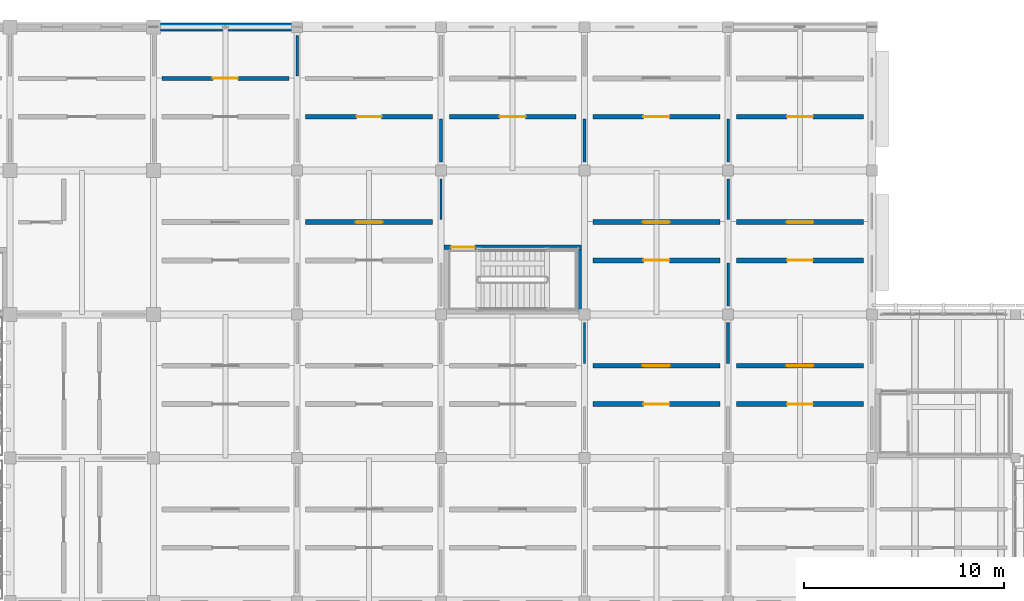
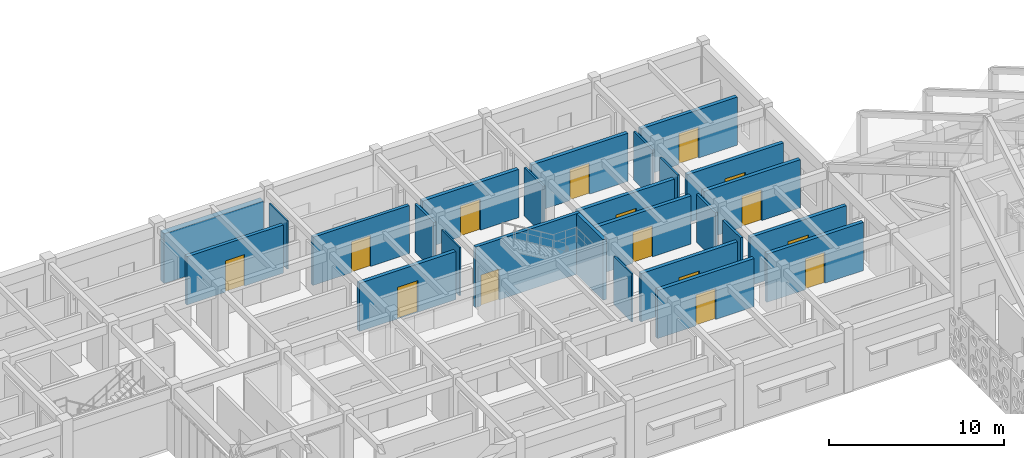
# One storey, part 128 of 171: 26 walls, 15 doors, 15 openings.
"""IFC4 building model written with IfcOpenShell, lengths in metres."""

from ifc_helpers import new_model, si_unit, direction, frame, frame_2d, origin, place, context, subcontext, project, spatial, rectangle, extrude, material, layer, layer_set, type_object, element, fill, save


model = new_model("IFC4")

# Units and contexts
model_context = context("Model", 3, precision=1e-05, world=origin(), true_north=direction((0.0, 1.0)))
body_context = subcontext(model_context, "Body", "Model", "MODEL_VIEW")
ifc_project = project(units=[si_unit("LENGTHUNIT", "METRE"), si_unit("AREAUNIT", "SQUARE_METRE"), si_unit("VOLUMEUNIT", "CUBIC_METRE"), si_unit("PLANEANGLEUNIT", "RADIAN"), si_unit("MASSUNIT", "GRAM", prefix="KILO")], contexts=[model_context])

# Site, building, storey
site_placement = place(None, origin())
site = spatial("IfcSite", under=ifc_project, at=site_placement, CompositionType="ELEMENT")
building_placement = place(site_placement, origin())
building = spatial("IfcBuilding", under=site, at=building_placement, Name="Aldebral Square Health Centre", CompositionType="ELEMENT")
storey_placement = place(building_placement, frame((0.0, 0.0, 4.5)))
storey = spatial("IfcBuildingStorey", under=building, at=storey_placement, Name="L01", CompositionType="ELEMENT", Elevation=4.5)

# Wall
ifc_material_1 = material(Name="Lead-lined concrete C40/50 radiology exterior wall", Category="concrete")
ifc_layer_1 = layer(ifc_material_1, 0.3798828125, Name="Lead-lined concrete C40/50 radiology exterior wall", Category="concrete")
ifc_layer_set_1 = layer_set([ifc_layer_1], Name="Lead-lined concrete C40/50 radiology exterior wall")
wall_type_1 = type_object("IfcWallType", Name="EW-SHD-380", PredefinedType="SOLIDWALL", material=ifc_layer_set_1)
wall_1_placement = place(storey_placement, frame((35.72509765625, 115.199951171875, 0.0), z_axis=(0.0, 0.0, 1.0), x_axis=(-1.0, 0.0, 0.0)))
element("IfcWall", 1, at=wall_1_placement, inside=storey, type_object=wall_type_1, Name="L01 V2 exterior wall L01-V2-04-15-N", PredefinedType="SOLIDWALL", context=body_context, shape_type="SweptSolid", body=[
    extrude(rectangle(XDim=6.5751953125, YDim=0.3798828125, at=frame_2d((3.28759765625, 0.0))), origin(), (0.0, 0.0, 1.0), 3.469970703125),
])

# Wall, opening, door
ifc_material_2 = material(Name="Concrete C35/45 compartment wall", Category="concrete")
ifc_layer_2 = layer(ifc_material_2, 0.219970703125, Name="Concrete C35/45 compartment wall", Category="concrete")
ifc_layer_set_2 = layer_set([ifc_layer_2], Name="Concrete C35/45 compartment wall")
wall_type_2 = type_object("IfcWallType", Name="IW-CMP-220", PredefinedType="SOLIDWALL", material=ifc_layer_set_2)
wall_2_placement = place(storey_placement, frame((29.219970703125, 112.6201171875, 0.0), z_axis=(0.0, 0.0, 1.0), x_axis=(1.0, 0.0, 0.0)))
wall_2 = element("IfcWall", 2, at=wall_2_placement, inside=storey, type_object=wall_type_2, Name="L01 Imaging Equipment Plant Room 5.16N corridor wall", PredefinedType="SOLIDWALL", context=body_context, shape_type="SweptSolid", body=[
    extrude(rectangle(XDim=6.360107421875, YDim=0.219970703125, at=frame_2d((3.18017578125, 0.0))), origin(), (0.0, 0.0, 1.0), 3.360107421875),
])
opening_1_placement = place(wall_2_placement, frame((2.550048828125, 0.0, 0.0)))
opening_1 = element("IfcOpeningElement", 3, at=opening_1_placement, cuts=wall_2, Name="Opening D-0210", PredefinedType="OPENING", context=body_context, shape_type="SweptSolid", body=[
    extrude(rectangle(XDim=1.260009765625, YDim=2.18994140625, at=frame_2d((0.6298828125, 1.094970703125))), frame((0.0, 0.1201171875, 0.0), z_axis=(0.0, -1.0, 0.0), x_axis=(1.0, 0.0, 0.0)), (0.0, 0.0, 1.0), 0.239990234375),
])
ifc_material_3 = material(Name="Clinical suite fire door")
door_type_1 = type_object("IfcDoorType", Name="ID-EXD-57", OperationType="NOTDEFINED", PredefinedType="DOOR", material=ifc_material_3)
door_1_placement = place(opening_1_placement, origin())
door_1 = element("IfcDoor", 4, at=door_1_placement, inside=storey, type_object=door_type_1, Name="L01 Imaging Equipment Plant Room 5.16N door", OperationType="SINGLE_SWING_LEFT", OverallHeight=2.18994140625, OverallWidth=1.260009765625, PredefinedType="DOOR", context=body_context, shape_type="SweptSolid", body=[
    extrude(rectangle(XDim=1.260009765625, YDim=2.18994140625, at=frame_2d((0.6298828125, 1.094970703125))), frame((0.0, 0.02490234375, 0.0), z_axis=(0.0, -1.0, 0.0), x_axis=(1.0, 0.0, 0.0)), (0.0, 0.0, 1.0), 0.050048828125),
])
fill(opening_1, door_1)

ifc_material_4 = material(Name="Concrete C40/50", Category="concrete")
ifc_layer_3 = layer(ifc_material_4, 0.219970703125, Name="Concrete C40/50", Category="concrete")
ifc_layer_set_3 = layer_set([ifc_layer_3], Name="Concrete C40/50")
wall_type_3 = type_object("IfcWallType", Name="IW-CORE-280", PredefinedType="SHEAR", material=ifc_layer_set_3)
wall_3_placement = place(storey_placement, frame((43.360107421875, 104.14990234375, 0.0), z_axis=(0.0, 0.0, 1.0), x_axis=(1.0, 0.0, 0.0)))
wall_3 = element("IfcWall", 5, at=wall_3_placement, inside=storey, type_object=wall_type_3, Name="L01 WS-S6 shaft wall N", PredefinedType="SHEAR", context=body_context, shape_type="SweptSolid", body=[
    extrude(rectangle(XDim=6.8798828125, YDim=0.219970703125, at=frame_2d((3.43994140625, 0.0))), origin(), (0.0, 0.0, 1.0), 4.219970703125),
])
opening_2_placement = place(wall_3_placement, frame((0.35009765625, 0.0, 0.0)))
opening_2 = element("IfcOpeningElement", 6, at=opening_2_placement, cuts=wall_3, Name="Opening D-0066", PredefinedType="OPENING", context=body_context, shape_type="SweptSolid", body=[
    extrude(rectangle(XDim=1.199951171875, YDim=2.14990234375, at=frame_2d((0.60009765625, 1.074951171875))), frame((0.0, 0.1201171875, 0.0), z_axis=(0.0, -1.0, 0.0), x_axis=(1.0, 0.0, 0.0)), (0.0, 0.0, 1.0), 0.239990234375),
])
ifc_material_5 = material(Name="Fire-rated steel stair door", Category="steel")
door_type_2 = type_object("IfcDoorType", Name="ID-ST-120", OperationType="NOTDEFINED", PredefinedType="DOOR", material=ifc_material_5)
door_2_placement = place(opening_2_placement, origin())
door_2 = element("IfcDoor", 7, at=door_2_placement, inside=storey, type_object=door_type_2, Name="L01 ST-06 fire door", OperationType="SINGLE_SWING_RIGHT", OverallHeight=2.14990234375, OverallWidth=1.199951171875, PredefinedType="DOOR", context=body_context, shape_type="SweptSolid", body=[
    extrude(rectangle(XDim=1.199951171875, YDim=2.14990234375, at=frame_2d((0.60009765625, 1.074951171875))), frame((0.0, 0.02490234375, 0.0), z_axis=(0.0, -1.0, 0.0), x_axis=(1.0, 0.0, 0.0)), (0.0, 0.0, 1.0), 0.050048828125),
])
fill(opening_2, door_2)

# Wall
wall_4_placement = place(storey_placement, frame((50.1298828125, 101.0400390625, 0.0), z_axis=(0.0, 0.0, 1.0), x_axis=(0.0, 1.0, 0.0)))
element("IfcWall", 8, at=wall_4_placement, inside=storey, type_object=wall_type_3, Name="L01 WS-S6 shaft wall E", PredefinedType="SHEAR", context=body_context, shape_type="SweptSolid", body=[
    extrude(rectangle(XDim=3.0, YDim=0.219970703125, at=frame_2d((1.5, 0.0))), origin(), (0.0, 0.0, 1.0), 4.219970703125),
])

# Wall, opening, door
ifc_material_6 = material(Name="Moisture-resistant sanitary chase wall")
ifc_layer_4 = layer(ifc_material_6, 0.2099609375, Name="Moisture-resistant sanitary chase wall")
ifc_layer_set_4 = layer_set([ifc_layer_4], Name="Moisture-resistant sanitary chase wall")
wall_type_4 = type_object("IfcWallType", Name="IW-PLB-210", PredefinedType="PLUMBINGWALL", material=ifc_layer_set_4)
wall_5_placement = place(storey_placement, frame((36.419921875, 110.699951171875, 0.0), z_axis=(0.0, 0.0, 1.0), x_axis=(1.0, 0.0, 0.0)))
wall_5 = element("IfcWall", 9, at=wall_5_placement, inside=storey, type_object=wall_type_4, Name="L01 Patient Imaging Dressing WC 6.16S corridor wall", PredefinedType="PLUMBINGWALL", context=body_context, shape_type="SweptSolid", body=[
    extrude(rectangle(XDim=6.360107421875, YDim=0.2099609375, at=frame_2d((3.18017578125, 0.0))), origin(), (0.0, 0.0, 1.0), 3.360107421875),
])
opening_3_placement = place(wall_5_placement, frame((2.554931640625, 0.0, 0.0)))
opening_3 = element("IfcOpeningElement", 10, at=opening_3_placement, cuts=wall_5, Name="Opening D-0217", PredefinedType="OPENING", context=body_context, shape_type="SweptSolid", body=[
    extrude(rectangle(XDim=1.25, YDim=2.14990234375, at=frame_2d((0.625, 1.074951171875))), frame((0.0, 0.114990234375, 0.0), z_axis=(0.0, -1.0, 0.0), x_axis=(1.0, 0.0, 0.0)), (0.0, 0.0, 1.0), 0.22998046875),
])
ifc_material_7 = material(Name="Stainless steel surgical lift landing door", Category="steel")
door_type_3 = type_object("IfcDoorType", Name="ID-LD-125", OperationType="SLIDING_TO_LEFT", PredefinedType="DOOR", material=ifc_material_7)
door_3_placement = place(opening_3_placement, origin())
door_3 = element("IfcDoor", 11, at=door_3_placement, inside=storey, type_object=door_type_3, Name="L01 Patient Imaging Dressing WC 6.16S door", OperationType="SINGLE_SWING_RIGHT", OverallHeight=2.14990234375, OverallWidth=1.25, PredefinedType="DOOR", context=body_context, shape_type="SweptSolid", body=[
    extrude(rectangle(XDim=1.25, YDim=2.14990234375, at=frame_2d((0.625, 1.074951171875))), frame((0.0, 0.02490234375, 0.0), z_axis=(0.0, -1.0, 0.0), x_axis=(1.0, 0.0, 0.0)), (0.0, 0.0, 1.0), 0.050048828125),
])
fill(opening_3, door_3)

# Walls
ifc_material_8 = material(Name="Lightweight clinical partition")
ifc_layer_5 = layer(ifc_material_8, 0.10498046875, Name="Lightweight clinical partition")
ifc_layer_set_5 = layer_set([ifc_layer_5], Name="Lightweight clinical partition")
wall_type_5 = type_object("IfcWallType", Name="IW-PRT-105", PredefinedType="PARTITIONING", material=ifc_layer_set_5)
for number, where, z_axis, x_axis, name in (
    (12, (36.0, 112.739990234375, 0.0), (0.0, 0.0, 1.0), (0.0, 1.0, 0.0), "L01 Imaging Equipment Plant Room 5.16N demising partition"),
    (13, (43.199951171875, 105.5400390625, 0.0), (0.0, 0.0, 1.0), (0.0, 1.0, 0.0), "L01 Radiology Reporting Room 6.15N demising partition"),
):
    element("IfcWall", number, at=place(storey_placement, frame(where, z_axis=z_axis, x_axis=x_axis)), inside=storey, type_object=wall_type_5, Name=name, PredefinedType="PARTITIONING", context=body_context, shape_type="SweptSolid", body=[
        extrude(rectangle(XDim=2.0400390625, YDim=0.10498046875, at=frame_2d((1.02001953125, 0.0))), origin(), (0.0, 0.0, 1.0), 3.360107421875),
    ])
wall_6_placement = place(storey_placement, frame((50.39990234375, 98.340087890625, 0.0), z_axis=(0.0, 0.0, 1.0), x_axis=(0.0, 1.0, 0.0)))
element("IfcWall", 14, at=wall_6_placement, inside=storey, type_object=wall_type_5, Name="L01 Mammography Screening Suite 7.14N demising partition", PredefinedType="PARTITIONING", context=body_context, shape_type="SweptSolid", body=[
    extrude(rectangle(XDim=2.039794921875, YDim=0.10498046875, at=frame_2d((1.02001953125, 0.0))), origin(), (0.0, 0.0, 1.0), 3.360107421875),
])
ifc_material_9 = material(Name="Acoustic clinical gypsum partition")
ifc_layer_6 = layer(ifc_material_9, 0.1201171875, Name="Acoustic clinical gypsum partition")
ifc_layer_set_6 = layer_set([ifc_layer_6], Name="Acoustic clinical gypsum partition")
wall_type_6 = type_object("IfcWallType", Name="IW-PRT-120", PredefinedType="PARTITIONING", material=ifc_layer_set_6)
wall_7_placement = place(storey_placement, frame((57.60009765625, 108.419921875, 0.0), z_axis=(0.0, 0.0, 1.0), x_axis=(0.0, 1.0, 0.0)))
element("IfcWall", 15, at=wall_7_placement, inside=storey, type_object=wall_type_6, Name="L01 Diagnostic Ultrasound Room 8.16S demising partition", PredefinedType="PARTITIONING", context=body_context, shape_type="SweptSolid", body=[
    extrude(rectangle(XDim=2.16015625, YDim=0.1201171875, at=frame_2d((1.080078125, 0.0))), origin(), (0.0, 0.0, 1.0), 3.360107421875),
])
ifc_layer_7 = layer(ifc_material_9, 0.135009765625, Name="Acoustic clinical gypsum partition")
ifc_layer_set_7 = layer_set([ifc_layer_7], Name="Acoustic clinical gypsum partition")
wall_type_7 = type_object("IfcWallType", Name="IW-PRT-135", PredefinedType="PARTITIONING", material=ifc_layer_set_7)
wall_8_placement = place(storey_placement, frame((50.39990234375, 108.419921875, 0.0), z_axis=(0.0, 0.0, 1.0), x_axis=(0.0, 1.0, 0.0)))
element("IfcWall", 16, at=wall_8_placement, inside=storey, type_object=wall_type_7, Name="L01 Diagnostic Ultrasound Room 7.16S demising partition", PredefinedType="PARTITIONING", context=body_context, shape_type="SweptSolid", body=[
    extrude(rectangle(XDim=2.16015625, YDim=0.135009765625, at=frame_2d((1.080078125, 0.0))), origin(), (0.0, 0.0, 1.0), 3.360107421875),
])
wall_9_placement = place(storey_placement, frame((57.60009765625, 101.219970703125, 0.0), z_axis=(0.0, 0.0, 1.0), x_axis=(0.0, 1.0, 0.0)))
element("IfcWall", 17, at=wall_9_placement, inside=storey, type_object=wall_type_7, Name="L01 Digital Radiography X-Ray Room 8.15S demising partition", PredefinedType="PARTITIONING", context=body_context, shape_type="SweptSolid", body=[
    extrude(rectangle(XDim=2.159912109375, YDim=0.135009765625, at=frame_2d((1.080078125, 0.0))), origin(), (0.0, 0.0, 1.0), 3.360107421875),
])
wall_10_placement = place(storey_placement, frame((57.60009765625, 105.5400390625, 0.0), z_axis=(0.0, 0.0, 1.0), x_axis=(0.0, 1.0, 0.0)))
element("IfcWall", 18, at=wall_10_placement, inside=storey, type_object=wall_type_7, Name="L01 Mammography Screening Suite 8.15N demising partition", PredefinedType="PARTITIONING", context=body_context, shape_type="SweptSolid", body=[
    extrude(rectangle(XDim=2.0400390625, YDim=0.135009765625, at=frame_2d((1.02001953125, 0.0))), origin(), (0.0, 0.0, 1.0), 3.360107421875),
])
ifc_layer_8 = layer(ifc_material_9, 0.14990234375, Name="Acoustic clinical gypsum partition")
ifc_layer_set_8 = layer_set([ifc_layer_8], Name="Acoustic clinical gypsum partition")
wall_type_8 = type_object("IfcWallType", Name="IW-PRT-150", PredefinedType="PARTITIONING", material=ifc_layer_set_8)
wall_11_placement = place(storey_placement, frame((43.199951171875, 108.419921875, 0.0), z_axis=(0.0, 0.0, 1.0), x_axis=(0.0, 1.0, 0.0)))
element("IfcWall", 19, at=wall_11_placement, inside=storey, type_object=wall_type_8, Name="L01 Patient Imaging Dressing WC 6.16S demising partition", PredefinedType="PARTITIONING", context=body_context, shape_type="SweptSolid", body=[
    extrude(rectangle(XDim=2.16015625, YDim=0.14990234375, at=frame_2d((1.080078125, 0.0))), origin(), (0.0, 0.0, 1.0), 3.360107421875),
])
wall_12_placement = place(storey_placement, frame((57.60009765625, 98.340087890625, 0.0), z_axis=(0.0, 0.0, 1.0), x_axis=(0.0, 1.0, 0.0)))
element("IfcWall", 20, at=wall_12_placement, inside=storey, type_object=wall_type_8, Name="L01 CT Control and Shielded Monitoring 8.14N demising partition", PredefinedType="PARTITIONING", context=body_context, shape_type="SweptSolid", body=[
    extrude(rectangle(XDim=2.039794921875, YDim=0.14990234375, at=frame_2d((1.02001953125, 0.0))), origin(), (0.0, 0.0, 1.0), 3.360107421875),
])

# Wall, opening, door
ifc_material_10 = material(Name="Lead-lined gypsum and concrete C35/45 barrier", Category="concrete")
ifc_layer_9 = layer(ifc_material_10, 0.239990234375, Name="Lead-lined gypsum and concrete C35/45 barrier", Category="concrete")
ifc_layer_set_9 = layer_set([ifc_layer_9], Name="Lead-lined gypsum and concrete C35/45 barrier")
wall_type_9 = type_object("IfcWallType", Name="IW-RAD-240", PredefinedType="SOLIDWALL", material=ifc_layer_set_9)
wall_13_placement = place(storey_placement, frame((36.419921875, 105.419921875, 0.0), z_axis=(0.0, 0.0, 1.0), x_axis=(1.0, 0.0, 0.0)))
wall_13 = element("IfcWall", 21, at=wall_13_placement, inside=storey, type_object=wall_type_9, Name="L01 Radiology Reporting Room 6.15N corridor wall", PredefinedType="SOLIDWALL", context=body_context, shape_type="SweptSolid", body=[
    extrude(rectangle(XDim=6.360107421875, YDim=0.239990234375, at=frame_2d((3.18017578125, 0.0))), origin(), (0.0, 0.0, 1.0), 3.360107421875),
])
opening_4_placement = place(wall_13_placement, frame((2.5048828125, 0.0, 0.0)))
opening_4 = element("IfcOpeningElement", 22, at=opening_4_placement, cuts=wall_13, Name="Opening D-0216", PredefinedType="OPENING", context=body_context, shape_type="SweptSolid", body=[
    extrude(rectangle(XDim=1.35009765625, YDim=2.199951171875, at=frame_2d((0.675048828125, 1.10009765625))), frame((0.0, 0.1298828125, 0.0), z_axis=(0.0, -1.0, 0.0), x_axis=(1.0, 0.0, 0.0)), (0.0, 0.0, 1.0), 0.260009765625),
])
ifc_material_11 = material(Name="Lead-lined imaging suite door")
door_type_4 = type_object("IfcDoorType", Name="ID-IM-135", OperationType="NOTDEFINED", PredefinedType="DOOR", material=ifc_material_11)
door_4_placement = place(opening_4_placement, origin())
door_4 = element("IfcDoor", 23, at=door_4_placement, inside=storey, type_object=door_type_4, Name="L01 Radiology Reporting Room 6.15N door", OperationType="SINGLE_SWING_LEFT", OverallHeight=2.199951171875, OverallWidth=1.35009765625, PredefinedType="DOOR", context=body_context, shape_type="SweptSolid", body=[
    extrude(rectangle(XDim=1.35009765625, YDim=2.199951171875, at=frame_2d((0.675048828125, 1.10009765625))), frame((0.0, 0.02490234375, 0.0), z_axis=(0.0, -1.0, 0.0), x_axis=(1.0, 0.0, 0.0)), (0.0, 0.0, 1.0), 0.050048828125),
])
fill(opening_4, door_4)

wall_14_placement = place(storey_placement, frame((43.6201171875, 110.699951171875, 0.0), z_axis=(0.0, 0.0, 1.0), x_axis=(1.0, 0.0, 0.0)))
wall_14 = element("IfcWall", 24, at=wall_14_placement, inside=storey, type_object=wall_type_9, Name="L01 Diagnostic Ultrasound Room 7.16S corridor wall", PredefinedType="SOLIDWALL", context=body_context, shape_type="SweptSolid", body=[
    extrude(rectangle(XDim=6.35986328125, YDim=0.239990234375, at=frame_2d((3.179931640625, 0.0))), origin(), (0.0, 0.0, 1.0), 3.360107421875),
])
opening_5_placement = place(wall_14_placement, frame((2.530029296875, 0.0, 0.0)))
opening_5 = element("IfcOpeningElement", 25, at=opening_5_placement, cuts=wall_14, Name="Opening D-0223", PredefinedType="OPENING", context=body_context, shape_type="SweptSolid", body=[
    extrude(rectangle(XDim=1.300048828125, YDim=2.14990234375, at=frame_2d((0.64990234375, 1.074951171875))), frame((0.0, 0.1298828125, 0.0), z_axis=(0.0, -1.0, 0.0), x_axis=(1.0, 0.0, 0.0)), (0.0, 0.0, 1.0), 0.260009765625),
])
ifc_material_12 = material(Name="Radiography shielded fire door")
door_type_5 = type_object("IfcDoorType", Name="ID-IM-130", OperationType="NOTDEFINED", PredefinedType="DOOR", material=ifc_material_12)
door_5_placement = place(opening_5_placement, origin())
door_5 = element("IfcDoor", 26, at=door_5_placement, inside=storey, type_object=door_type_5, Name="L01 Diagnostic Ultrasound Room 7.16S door", OperationType="SINGLE_SWING_RIGHT", OverallHeight=2.14990234375, OverallWidth=1.300048828125, PredefinedType="DOOR", context=body_context, shape_type="SweptSolid", body=[
    extrude(rectangle(XDim=1.300048828125, YDim=2.14990234375, at=frame_2d((0.64990234375, 1.074951171875))), frame((0.0, 0.02490234375, 0.0), z_axis=(0.0, -1.0, 0.0), x_axis=(1.0, 0.0, 0.0)), (0.0, 0.0, 1.0), 0.050048828125),
])
fill(opening_5, door_5)

wall_15_placement = place(storey_placement, frame((50.820068359375, 96.300048828125, 0.0), z_axis=(0.0, 0.0, 1.0), x_axis=(1.0, 0.0, 0.0)))
wall_15 = element("IfcWall", 27, at=wall_15_placement, inside=storey, type_object=wall_type_9, Name="L01 Diagnostic Imaging CT Suite 8.14S corridor wall", PredefinedType="SOLIDWALL", context=body_context, shape_type="SweptSolid", body=[
    extrude(rectangle(XDim=6.35986328125, YDim=0.239990234375, at=frame_2d((3.179931640625, 0.0))), origin(), (0.0, 0.0, 1.0), 3.360107421875),
])
opening_6_placement = place(wall_15_placement, frame((2.530029296875, 0.0, 0.0)))
opening_6 = element("IfcOpeningElement", 28, at=opening_6_placement, cuts=wall_15, Name="Opening D-0227", PredefinedType="OPENING", context=body_context, shape_type="SweptSolid", body=[
    extrude(rectangle(XDim=1.300048828125, YDim=2.14990234375, at=frame_2d((0.64990234375, 1.074951171875))), frame((0.0, 0.1298828125, 0.0), z_axis=(0.0, -1.0, 0.0), x_axis=(1.0, 0.0, 0.0)), (0.0, 0.0, 1.0), 0.260009765625),
])
door_6_placement = place(opening_6_placement, origin())
door_6 = element("IfcDoor", 29, at=door_6_placement, inside=storey, type_object=door_type_5, Name="L01 Diagnostic Imaging CT Suite 8.14S door", OperationType="SINGLE_SWING_RIGHT", OverallHeight=2.14990234375, OverallWidth=1.300048828125, PredefinedType="DOOR", context=body_context, shape_type="SweptSolid", body=[
    extrude(rectangle(XDim=1.300048828125, YDim=2.14990234375, at=frame_2d((0.64990234375, 1.074951171875))), frame((0.0, 0.02490234375, 0.0), z_axis=(0.0, -1.0, 0.0), x_axis=(1.0, 0.0, 0.0)), (0.0, 0.0, 1.0), 0.050048828125),
])
fill(opening_6, door_6)

wall_16_placement = place(storey_placement, frame((50.820068359375, 98.219970703125, 0.0), z_axis=(0.0, 0.0, 1.0), x_axis=(1.0, 0.0, 0.0)))
wall_16 = element("IfcWall", 30, at=wall_16_placement, inside=storey, type_object=wall_type_9, Name="L01 CT Control and Shielded Monitoring 8.14N corridor wall", PredefinedType="SOLIDWALL", context=body_context, shape_type="SweptSolid", body=[
    extrude(rectangle(XDim=6.35986328125, YDim=0.239990234375, at=frame_2d((3.179931640625, 0.0))), origin(), (0.0, 0.0, 1.0), 3.360107421875),
])
opening_7_placement = place(wall_16_placement, frame((2.5048828125, 0.0, 0.0)))
opening_7 = element("IfcOpeningElement", 31, at=opening_7_placement, cuts=wall_16, Name="Opening D-0228", PredefinedType="OPENING", context=body_context, shape_type="SweptSolid", body=[
    extrude(rectangle(XDim=1.35009765625, YDim=2.199951171875, at=frame_2d((0.675048828125, 1.10009765625))), frame((0.0, 0.1298828125, 0.0), z_axis=(0.0, -1.0, 0.0), x_axis=(1.0, 0.0, 0.0)), (0.0, 0.0, 1.0), 0.260009765625),
])
door_7_placement = place(opening_7_placement, origin())
door_7 = element("IfcDoor", 32, at=door_7_placement, inside=storey, type_object=door_type_4, Name="L01 CT Control and Shielded Monitoring 8.14N door", OperationType="SINGLE_SWING_LEFT", OverallHeight=2.199951171875, OverallWidth=1.35009765625, PredefinedType="DOOR", context=body_context, shape_type="SweptSolid", body=[
    extrude(rectangle(XDim=1.35009765625, YDim=2.199951171875, at=frame_2d((0.675048828125, 1.10009765625))), frame((0.0, 0.02490234375, 0.0), z_axis=(0.0, -1.0, 0.0), x_axis=(1.0, 0.0, 0.0)), (0.0, 0.0, 1.0), 0.050048828125),
])
fill(opening_7, door_7)

wall_17_placement = place(storey_placement, frame((50.820068359375, 103.5, 0.0), z_axis=(0.0, 0.0, 1.0), x_axis=(1.0, 0.0, 0.0)))
wall_17 = element("IfcWall", 33, at=wall_17_placement, inside=storey, type_object=wall_type_9, Name="L01 Digital Radiography X-Ray Room 8.15S corridor wall", PredefinedType="SOLIDWALL", context=body_context, shape_type="SweptSolid", body=[
    extrude(rectangle(XDim=6.35986328125, YDim=0.239990234375, at=frame_2d((3.179931640625, 0.0))), origin(), (0.0, 0.0, 1.0), 3.360107421875),
])
opening_8_placement = place(wall_17_placement, frame((2.530029296875, 0.0, 0.0)))
opening_8 = element("IfcOpeningElement", 34, at=opening_8_placement, cuts=wall_17, Name="Opening D-0229", PredefinedType="OPENING", context=body_context, shape_type="SweptSolid", body=[
    extrude(rectangle(XDim=1.300048828125, YDim=2.14990234375, at=frame_2d((0.64990234375, 1.074951171875))), frame((0.0, 0.1298828125, 0.0), z_axis=(0.0, -1.0, 0.0), x_axis=(1.0, 0.0, 0.0)), (0.0, 0.0, 1.0), 0.260009765625),
])
door_8_placement = place(opening_8_placement, origin())
door_8 = element("IfcDoor", 35, at=door_8_placement, inside=storey, type_object=door_type_5, Name="L01 Digital Radiography X-Ray Room 8.15S door", OperationType="SINGLE_SWING_RIGHT", OverallHeight=2.14990234375, OverallWidth=1.300048828125, PredefinedType="DOOR", context=body_context, shape_type="SweptSolid", body=[
    extrude(rectangle(XDim=1.300048828125, YDim=2.14990234375, at=frame_2d((0.64990234375, 1.074951171875))), frame((0.0, 0.02490234375, 0.0), z_axis=(0.0, -1.0, 0.0), x_axis=(1.0, 0.0, 0.0)), (0.0, 0.0, 1.0), 0.050048828125),
])
fill(opening_8, door_8)

wall_18_placement = place(storey_placement, frame((50.820068359375, 105.419921875, 0.0), z_axis=(0.0, 0.0, 1.0), x_axis=(1.0, 0.0, 0.0)))
wall_18 = element("IfcWall", 36, at=wall_18_placement, inside=storey, type_object=wall_type_9, Name="L01 Mammography Screening Suite 8.15N corridor wall", PredefinedType="SOLIDWALL", context=body_context, shape_type="SweptSolid", body=[
    extrude(rectangle(XDim=6.35986328125, YDim=0.239990234375, at=frame_2d((3.179931640625, 0.0))), origin(), (0.0, 0.0, 1.0), 3.360107421875),
])
opening_9_placement = place(wall_18_placement, frame((2.5048828125, 0.0, 0.0)))
opening_9 = element("IfcOpeningElement", 37, at=opening_9_placement, cuts=wall_18, Name="Opening D-0230", PredefinedType="OPENING", context=body_context, shape_type="SweptSolid", body=[
    extrude(rectangle(XDim=1.35009765625, YDim=2.199951171875, at=frame_2d((0.675048828125, 1.10009765625))), frame((0.0, 0.1298828125, 0.0), z_axis=(0.0, -1.0, 0.0), x_axis=(1.0, 0.0, 0.0)), (0.0, 0.0, 1.0), 0.260009765625),
])
door_9_placement = place(opening_9_placement, origin())
door_9 = element("IfcDoor", 38, at=door_9_placement, inside=storey, type_object=door_type_4, Name="L01 Mammography Screening Suite 8.15N door", OperationType="SINGLE_SWING_LEFT", OverallHeight=2.199951171875, OverallWidth=1.35009765625, PredefinedType="DOOR", context=body_context, shape_type="SweptSolid", body=[
    extrude(rectangle(XDim=1.35009765625, YDim=2.199951171875, at=frame_2d((0.675048828125, 1.10009765625))), frame((0.0, 0.02490234375, 0.0), z_axis=(0.0, -1.0, 0.0), x_axis=(1.0, 0.0, 0.0)), (0.0, 0.0, 1.0), 0.050048828125),
])
fill(opening_9, door_9)

wall_19_placement = place(storey_placement, frame((50.820068359375, 110.699951171875, 0.0), z_axis=(0.0, 0.0, 1.0), x_axis=(1.0, 0.0, 0.0)))
wall_19 = element("IfcWall", 39, at=wall_19_placement, inside=storey, type_object=wall_type_9, Name="L01 Diagnostic Ultrasound Room 8.16S corridor wall", PredefinedType="SOLIDWALL", context=body_context, shape_type="SweptSolid", body=[
    extrude(rectangle(XDim=6.35986328125, YDim=0.239990234375, at=frame_2d((3.179931640625, 0.0))), origin(), (0.0, 0.0, 1.0), 3.360107421875),
])
opening_10_placement = place(wall_19_placement, frame((2.530029296875, 0.0, 0.0)))
opening_10 = element("IfcOpeningElement", 40, at=opening_10_placement, cuts=wall_19, Name="Opening D-0231", PredefinedType="OPENING", context=body_context, shape_type="SweptSolid", body=[
    extrude(rectangle(XDim=1.300048828125, YDim=2.14990234375, at=frame_2d((0.64990234375, 1.074951171875))), frame((0.0, 0.1298828125, 0.0), z_axis=(0.0, -1.0, 0.0), x_axis=(1.0, 0.0, 0.0)), (0.0, 0.0, 1.0), 0.260009765625),
])
door_10_placement = place(opening_10_placement, origin())
door_10 = element("IfcDoor", 41, at=door_10_placement, inside=storey, type_object=door_type_5, Name="L01 Diagnostic Ultrasound Room 8.16S door", OperationType="SINGLE_SWING_RIGHT", OverallHeight=2.14990234375, OverallWidth=1.300048828125, PredefinedType="DOOR", context=body_context, shape_type="SweptSolid", body=[
    extrude(rectangle(XDim=1.300048828125, YDim=2.14990234375, at=frame_2d((0.64990234375, 1.074951171875))), frame((0.0, 0.02490234375, 0.0), z_axis=(0.0, -1.0, 0.0), x_axis=(1.0, 0.0, 0.0)), (0.0, 0.0, 1.0), 0.050048828125),
])
fill(opening_10, door_10)

wall_20_placement = place(storey_placement, frame((58.02001953125, 96.300048828125, 0.0), z_axis=(0.0, 0.0, 1.0), x_axis=(1.0, 0.0, 0.0)))
wall_20 = element("IfcWall", 42, at=wall_20_placement, inside=storey, type_object=wall_type_9, Name="L01 Diagnostic Imaging CT Suite 9.14S corridor wall", PredefinedType="SOLIDWALL", context=body_context, shape_type="SweptSolid", body=[
    extrude(rectangle(XDim=6.35986328125, YDim=0.239990234375, at=frame_2d((3.179931640625, 0.0))), origin(), (0.0, 0.0, 1.0), 3.360107421875),
])
opening_11_placement = place(wall_20_placement, frame((2.530029296875, 0.0, 0.0)))
opening_11 = element("IfcOpeningElement", 43, at=opening_11_placement, cuts=wall_20, Name="Opening D-0235", PredefinedType="OPENING", context=body_context, shape_type="SweptSolid", body=[
    extrude(rectangle(XDim=1.300048828125, YDim=2.14990234375, at=frame_2d((0.64990234375, 1.074951171875))), frame((0.0, 0.1298828125, 0.0), z_axis=(0.0, -1.0, 0.0), x_axis=(1.0, 0.0, 0.0)), (0.0, 0.0, 1.0), 0.260009765625),
])
door_11_placement = place(opening_11_placement, origin())
door_11 = element("IfcDoor", 44, at=door_11_placement, inside=storey, type_object=door_type_5, Name="L01 Diagnostic Imaging CT Suite 9.14S door", OperationType="SINGLE_SWING_RIGHT", OverallHeight=2.14990234375, OverallWidth=1.300048828125, PredefinedType="DOOR", context=body_context, shape_type="SweptSolid", body=[
    extrude(rectangle(XDim=1.300048828125, YDim=2.14990234375, at=frame_2d((0.64990234375, 1.074951171875))), frame((0.0, 0.02490234375, 0.0), z_axis=(0.0, -1.0, 0.0), x_axis=(1.0, 0.0, 0.0)), (0.0, 0.0, 1.0), 0.050048828125),
])
fill(opening_11, door_11)

wall_21_placement = place(storey_placement, frame((58.02001953125, 98.219970703125, 0.0), z_axis=(0.0, 0.0, 1.0), x_axis=(1.0, 0.0, 0.0)))
wall_21 = element("IfcWall", 45, at=wall_21_placement, inside=storey, type_object=wall_type_9, Name="L01 CT Control and Shielded Monitoring 9.14N corridor wall", PredefinedType="SOLIDWALL", context=body_context, shape_type="SweptSolid", body=[
    extrude(rectangle(XDim=6.35986328125, YDim=0.239990234375, at=frame_2d((3.179931640625, 0.0))), origin(), (0.0, 0.0, 1.0), 3.360107421875),
])
opening_12_placement = place(wall_21_placement, frame((2.5048828125, 0.0, 0.0)))
opening_12 = element("IfcOpeningElement", 46, at=opening_12_placement, cuts=wall_21, Name="Opening D-0236", PredefinedType="OPENING", context=body_context, shape_type="SweptSolid", body=[
    extrude(rectangle(XDim=1.35009765625, YDim=2.199951171875, at=frame_2d((0.675048828125, 1.10009765625))), frame((0.0, 0.1298828125, 0.0), z_axis=(0.0, -1.0, 0.0), x_axis=(1.0, 0.0, 0.0)), (0.0, 0.0, 1.0), 0.260009765625),
])
door_12_placement = place(opening_12_placement, origin())
door_12 = element("IfcDoor", 47, at=door_12_placement, inside=storey, type_object=door_type_4, Name="L01 CT Control and Shielded Monitoring 9.14N door", OperationType="SINGLE_SWING_LEFT", OverallHeight=2.199951171875, OverallWidth=1.35009765625, PredefinedType="DOOR", context=body_context, shape_type="SweptSolid", body=[
    extrude(rectangle(XDim=1.35009765625, YDim=2.199951171875, at=frame_2d((0.675048828125, 1.10009765625))), frame((0.0, 0.02490234375, 0.0), z_axis=(0.0, -1.0, 0.0), x_axis=(1.0, 0.0, 0.0)), (0.0, 0.0, 1.0), 0.050048828125),
])
fill(opening_12, door_12)

wall_22_placement = place(storey_placement, frame((58.02001953125, 103.5, 0.0), z_axis=(0.0, 0.0, 1.0), x_axis=(1.0, 0.0, 0.0)))
wall_22 = element("IfcWall", 48, at=wall_22_placement, inside=storey, type_object=wall_type_9, Name="L01 Digital Radiography X-Ray Room 9.15S corridor wall", PredefinedType="SOLIDWALL", context=body_context, shape_type="SweptSolid", body=[
    extrude(rectangle(XDim=6.35986328125, YDim=0.239990234375, at=frame_2d((3.179931640625, 0.0))), origin(), (0.0, 0.0, 1.0), 3.360107421875),
])
opening_13_placement = place(wall_22_placement, frame((2.530029296875, 0.0, 0.0)))
opening_13 = element("IfcOpeningElement", 49, at=opening_13_placement, cuts=wall_22, Name="Opening D-0237", PredefinedType="OPENING", context=body_context, shape_type="SweptSolid", body=[
    extrude(rectangle(XDim=1.300048828125, YDim=2.14990234375, at=frame_2d((0.64990234375, 1.074951171875))), frame((0.0, 0.1298828125, 0.0), z_axis=(0.0, -1.0, 0.0), x_axis=(1.0, 0.0, 0.0)), (0.0, 0.0, 1.0), 0.260009765625),
])
door_13_placement = place(opening_13_placement, origin())
door_13 = element("IfcDoor", 50, at=door_13_placement, inside=storey, type_object=door_type_5, Name="L01 Digital Radiography X-Ray Room 9.15S door", OperationType="SINGLE_SWING_RIGHT", OverallHeight=2.14990234375, OverallWidth=1.300048828125, PredefinedType="DOOR", context=body_context, shape_type="SweptSolid", body=[
    extrude(rectangle(XDim=1.300048828125, YDim=2.14990234375, at=frame_2d((0.64990234375, 1.074951171875))), frame((0.0, 0.02490234375, 0.0), z_axis=(0.0, -1.0, 0.0), x_axis=(1.0, 0.0, 0.0)), (0.0, 0.0, 1.0), 0.050048828125),
])
fill(opening_13, door_13)

wall_23_placement = place(storey_placement, frame((58.02001953125, 105.419921875, 0.0), z_axis=(0.0, 0.0, 1.0), x_axis=(1.0, 0.0, 0.0)))
wall_23 = element("IfcWall", 51, at=wall_23_placement, inside=storey, type_object=wall_type_9, Name="L01 Mammography Screening Suite 9.15N corridor wall", PredefinedType="SOLIDWALL", context=body_context, shape_type="SweptSolid", body=[
    extrude(rectangle(XDim=6.35986328125, YDim=0.239990234375, at=frame_2d((3.179931640625, 0.0))), origin(), (0.0, 0.0, 1.0), 3.360107421875),
])
opening_14_placement = place(wall_23_placement, frame((2.5048828125, 0.0, 0.0)))
opening_14 = element("IfcOpeningElement", 52, at=opening_14_placement, cuts=wall_23, Name="Opening D-0238", PredefinedType="OPENING", context=body_context, shape_type="SweptSolid", body=[
    extrude(rectangle(XDim=1.35009765625, YDim=2.199951171875, at=frame_2d((0.675048828125, 1.10009765625))), frame((0.0, 0.1298828125, 0.0), z_axis=(0.0, -1.0, 0.0), x_axis=(1.0, 0.0, 0.0)), (0.0, 0.0, 1.0), 0.260009765625),
])
door_14_placement = place(opening_14_placement, origin())
door_14 = element("IfcDoor", 53, at=door_14_placement, inside=storey, type_object=door_type_4, Name="L01 Mammography Screening Suite 9.15N door", OperationType="SINGLE_SWING_LEFT", OverallHeight=2.199951171875, OverallWidth=1.35009765625, PredefinedType="DOOR", context=body_context, shape_type="SweptSolid", body=[
    extrude(rectangle(XDim=1.35009765625, YDim=2.199951171875, at=frame_2d((0.675048828125, 1.10009765625))), frame((0.0, 0.02490234375, 0.0), z_axis=(0.0, -1.0, 0.0), x_axis=(1.0, 0.0, 0.0)), (0.0, 0.0, 1.0), 0.050048828125),
])
fill(opening_14, door_14)

wall_24_placement = place(storey_placement, frame((58.02001953125, 110.699951171875, 0.0), z_axis=(0.0, 0.0, 1.0), x_axis=(1.0, 0.0, 0.0)))
wall_24 = element("IfcWall", 54, at=wall_24_placement, inside=storey, type_object=wall_type_9, Name="L01 Diagnostic Ultrasound Room 9.16S corridor wall", PredefinedType="SOLIDWALL", context=body_context, shape_type="SweptSolid", body=[
    extrude(rectangle(XDim=6.35986328125, YDim=0.239990234375, at=frame_2d((3.179931640625, 0.0))), origin(), (0.0, 0.0, 1.0), 3.360107421875),
])
opening_15_placement = place(wall_24_placement, frame((2.530029296875, 0.0, 0.0)))
opening_15 = element("IfcOpeningElement", 55, at=opening_15_placement, cuts=wall_24, Name="Opening D-0239", PredefinedType="OPENING", context=body_context, shape_type="SweptSolid", body=[
    extrude(rectangle(XDim=1.300048828125, YDim=2.14990234375, at=frame_2d((0.64990234375, 1.074951171875))), frame((0.0, 0.1298828125, 0.0), z_axis=(0.0, -1.0, 0.0), x_axis=(1.0, 0.0, 0.0)), (0.0, 0.0, 1.0), 0.260009765625),
])
door_15_placement = place(opening_15_placement, origin())
door_15 = element("IfcDoor", 56, at=door_15_placement, inside=storey, type_object=door_type_5, Name="L01 Diagnostic Ultrasound Room 9.16S door", OperationType="SINGLE_SWING_RIGHT", OverallHeight=2.14990234375, OverallWidth=1.300048828125, PredefinedType="DOOR", context=body_context, shape_type="SweptSolid", body=[
    extrude(rectangle(XDim=1.300048828125, YDim=2.14990234375, at=frame_2d((0.64990234375, 1.074951171875))), frame((0.0, 0.02490234375, 0.0), z_axis=(0.0, -1.0, 0.0), x_axis=(1.0, 0.0, 0.0)), (0.0, 0.0, 1.0), 0.050048828125),
])
fill(opening_15, door_15)

save(model, "model.ifc")
